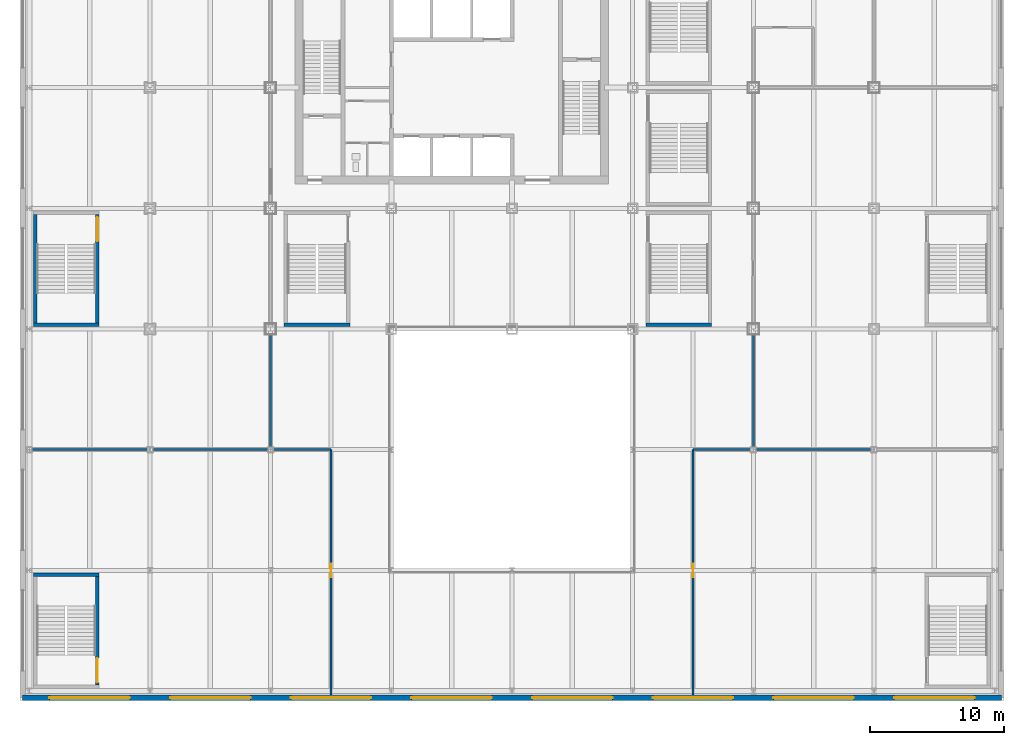
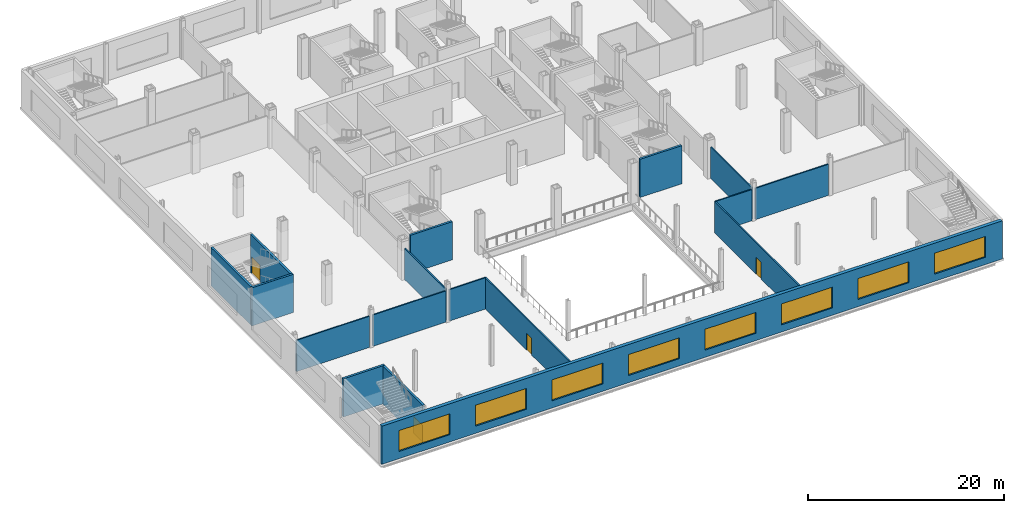
# One storey, part 11 of 28: 17 walls, 8 windows, 4 doors, 12 openings.
"""IFC4 building model written with IfcOpenShell, lengths in metres."""

from ifc_helpers import new_model, si_unit, direction, frame, frame_2d, origin, place, context, subcontext, project, spatial, rectangle, extrude, material, layer, layer_set, type_object, element, fill, save


model = new_model("IFC4")

# Units and contexts
model_context = context("Model", 3, precision=1e-05, world=origin(), true_north=direction((0.0, 1.0)))
body_context = subcontext(model_context, "Body", "Model", "MODEL_VIEW")
ifc_project = project(units=[si_unit("LENGTHUNIT", "METRE"), si_unit("AREAUNIT", "SQUARE_METRE"), si_unit("VOLUMEUNIT", "CUBIC_METRE"), si_unit("PLANEANGLEUNIT", "RADIAN"), si_unit("MASSUNIT", "GRAM", prefix="KILO")], contexts=[model_context])

# Site, building, storey
site_placement = place(None, origin())
site = spatial("IfcSite", under=ifc_project, at=site_placement, CompositionType="ELEMENT")
building_placement = place(site_placement, origin())
building = spatial("IfcBuilding", under=site, at=building_placement, Name="Loomwork Tower", CompositionType="ELEMENT")
storey_placement = place(building_placement, frame((0.0, 0.0, 6.0)))
storey = spatial("IfcBuildingStorey", under=building, at=storey_placement, Name="L01", CompositionType="ELEMENT", Elevation=6.0)

# Walls
ifc_material_1 = material(Name="Gypsum board on steel studs, one-hour", Category="steel")
ifc_layer_1 = layer(ifc_material_1, 0.14990234375)
ifc_layer_set_1 = layer_set([ifc_layer_1], Name="Partition 150")
wall_type_1 = type_object("IfcWallType", Name="Partition 150", PredefinedType="PARTITIONING", material=ifc_layer_set_1)
wall_1_placement = place(storey_placement, frame((-8.81201171875, -9.0, 0.0), z_axis=(0.0, 0.0, 1.0), x_axis=(1.0, 0.0, 0.0)))
element("IfcWall", 1, at=wall_1_placement, inside=storey, type_object=wall_type_1, Name="Partition L01 1.1", PredefinedType="PARTITIONING", context=body_context, shape_type="SweptSolid", body=[
    extrude(rectangle(XDim=8.615234375, YDim=0.14990234375, at=frame_2d((4.3076171875, 0.0))), origin(), (0.0, 0.0, 1.0), 3.8916015625),
])
wall_2_placement = place(storey_placement, frame((0.19677734375, -9.0, 0.0), z_axis=(0.0, 0.0, 1.0), x_axis=(1.0, 0.0, 0.0)))
element("IfcWall", 2, at=wall_2_placement, inside=storey, type_object=wall_type_1, Name="Partition L01 1.2", PredefinedType="PARTITIONING", context=body_context, shape_type="SweptSolid", body=[
    extrude(rectangle(XDim=8.6064453125, YDim=0.14990234375, at=frame_2d((4.30322265625, 0.0))), origin(), (0.0, 0.0, 1.0), 3.8916015625),
])
wall_3_placement = place(storey_placement, frame((9.19677734375, -9.0, 0.0), z_axis=(0.0, 0.0, 1.0), x_axis=(1.0, 0.0, 0.0)))
element("IfcWall", 3, at=wall_3_placement, inside=storey, type_object=wall_type_1, Name="Partition L01 5.1", PredefinedType="PARTITIONING", context=body_context, shape_type="SweptSolid", body=[
    extrude(rectangle(XDim=4.30322265625, YDim=0.14990234375, at=frame_2d((2.151611328125, 0.0))), origin(), (0.0, 0.0, 1.0), 3.8916015625),
])
wall_4_placement = place(storey_placement, frame((9.0, -0.39990234375, 0.0), z_axis=(0.0, 0.0, 1.0), x_axis=(0.0, -1.0, 0.0)))
element("IfcWall", 4, at=wall_4_placement, inside=storey, type_object=wall_type_1, Name="Partition L01 6.4", PredefinedType="PARTITIONING", context=body_context, shape_type="SweptSolid", body=[
    extrude(rectangle(XDim=8.412109375, YDim=0.14990234375, at=frame_2d((4.2060546875, 0.0))), origin(), (0.0, 0.0, 1.0), 3.8916015625),
])

# Wall, opening, door
wall_5_placement = place(storey_placement, frame((13.5, -9.0, 0.0), z_axis=(0.0, 0.0, 1.0), x_axis=(0.0, -1.0, 0.0)))
wall_5 = element("IfcWall", 5, at=wall_5_placement, inside=storey, type_object=wall_type_1, Name="Partition L01 10.1", PredefinedType="PARTITIONING", context=body_context, shape_type="SweptSolid", body=[
    extrude(rectangle(XDim=18.300048828125, YDim=0.14990234375, at=frame_2d((9.14990234375, 0.0))), origin(), (0.0, 0.0, 1.0), 3.89111328125),
])
opening_1_placement = place(wall_5_placement, frame((8.5, 0.0, 0.0)))
opening_1 = element("IfcOpeningElement", 6, at=opening_1_placement, cuts=wall_5, Name="Opening D7", PredefinedType="OPENING", context=body_context, shape_type="SweptSolid", body=[
    extrude(rectangle(XDim=1.0, YDim=2.10009765625, at=frame_2d((0.5, 1.050048828125))), frame((0.0, 0.0849609375, 0.0), z_axis=(0.0, -1.0, 0.0), x_axis=(1.0, 0.0, 0.0)), (0.0, 0.0, 1.0), 0.169921875),
])
ifc_material_2 = material(Name="Hollow metal door and frame")
door_type_1 = type_object("IfcDoorType", Name="Room door 1000", OperationType="SINGLE_SWING_LEFT", PredefinedType="DOOR", material=ifc_material_2)
door_1_placement = place(opening_1_placement, origin())
door_1 = element("IfcDoor", 7, at=door_1_placement, inside=storey, type_object=door_type_1, Name="Retail unit L01-01 door", OperationType="SINGLE_SWING_LEFT", OverallHeight=2.10009765625, OverallWidth=1.0, PredefinedType="DOOR", context=body_context, shape_type="SweptSolid", body=[
    extrude(rectangle(XDim=1.0, YDim=2.10009765625, at=frame_2d((0.5, 1.050048828125))), frame((0.0, 0.02490234375, 0.0), z_axis=(0.0, -1.0, 0.0), x_axis=(1.0, 0.0, 0.0)), (0.0, 0.0, 1.0), 0.050048828125),
])
fill(opening_1, door_1)

wall_6_placement = place(storey_placement, frame((40.5, -27.300048828125, 0.0), z_axis=(0.0, 0.0, 1.0), x_axis=(0.0, 1.0, 0.0)))
wall_6 = element("IfcWall", 8, at=wall_6_placement, inside=storey, type_object=wall_type_1, Name="Partition L01 11.1", PredefinedType="PARTITIONING", context=body_context, shape_type="SweptSolid", body=[
    extrude(rectangle(XDim=18.300048828125, YDim=0.14990234375, at=frame_2d((9.14990234375, 0.0))), origin(), (0.0, 0.0, 1.0), 3.89111328125),
])
opening_2_placement = place(wall_6_placement, frame((8.800048828125, 0.0, 0.0)))
opening_2 = element("IfcOpeningElement", 9, at=opening_2_placement, cuts=wall_6, Name="Opening D7", PredefinedType="OPENING", context=body_context, shape_type="SweptSolid", body=[
    extrude(rectangle(XDim=1.0, YDim=2.10009765625, at=frame_2d((0.5, 1.050048828125))), frame((0.0, 0.0849609375, 0.0), z_axis=(0.0, -1.0, 0.0), x_axis=(1.0, 0.0, 0.0)), (0.0, 0.0, 1.0), 0.169921875),
])
door_2_placement = place(opening_2_placement, origin())
door_2 = element("IfcDoor", 10, at=door_2_placement, inside=storey, type_object=door_type_1, Name="Retail unit L01-02 door", OperationType="SINGLE_SWING_RIGHT", OverallHeight=2.10009765625, OverallWidth=1.0, PredefinedType="DOOR", context=body_context, shape_type="SweptSolid", body=[
    extrude(rectangle(XDim=1.0, YDim=2.10009765625, at=frame_2d((0.5, 1.050048828125))), frame((0.0, 0.02490234375, 0.0), z_axis=(0.0, -1.0, 0.0), x_axis=(1.0, 0.0, 0.0)), (0.0, 0.0, 1.0), 0.050048828125),
])
fill(opening_2, door_2)

# Walls
wall_7_placement = place(storey_placement, frame((40.5, -9.0, 0.0), z_axis=(0.0, 0.0, 1.0), x_axis=(1.0, 0.0, 0.0)))
element("IfcWall", 11, at=wall_7_placement, inside=storey, type_object=wall_type_1, Name="Partition L01 12.1", PredefinedType="PARTITIONING", context=body_context, shape_type="SweptSolid", body=[
    extrude(rectangle(XDim=4.30322265625, YDim=0.14990234375, at=frame_2d((2.151611328125, 0.0))), origin(), (0.0, 0.0, 1.0), 3.8916015625),
])
wall_8_placement = place(storey_placement, frame((45.19677734375, -9.0, 0.0), z_axis=(0.0, 0.0, 1.0), x_axis=(1.0, 0.0, 0.0)))
element("IfcWall", 12, at=wall_8_placement, inside=storey, type_object=wall_type_1, Name="Partition L01 13.1", PredefinedType="PARTITIONING", context=body_context, shape_type="SweptSolid", body=[
    extrude(rectangle(XDim=8.6064453125, YDim=0.14990234375, at=frame_2d((4.30322265625, 0.0))), origin(), (0.0, 0.0, 1.0), 3.8916015625),
])
wall_9_placement = place(storey_placement, frame((45.0, -8.81201171875, 0.0), z_axis=(0.0, 0.0, 1.0), x_axis=(0.0, 1.0, 0.0)))
element("IfcWall", 13, at=wall_9_placement, inside=storey, type_object=wall_type_1, Name="Partition L01 14.1", PredefinedType="PARTITIONING", context=body_context, shape_type="SweptSolid", body=[
    extrude(rectangle(XDim=8.412109375, YDim=0.14990234375, at=frame_2d((4.2060546875, 0.0))), origin(), (0.0, 0.0, 1.0), 3.8916015625),
])

# Wall, openings, windows
ifc_material_3 = material(Name="Limestone on concrete masonry", Category="masonry")
ifc_layer_2 = layer(ifc_material_3, 0.39990234375)
ifc_layer_set_2 = layer_set([ifc_layer_2], Name="Podium limestone wall 400")
wall_type_2 = type_object("IfcWallType", Name="Podium limestone wall 400", PredefinedType="SOLIDWALL", material=ifc_layer_set_2)
wall_10_placement = place(storey_placement, frame((-9.5, -27.5, 0.0), z_axis=(0.0, 0.0, 1.0), x_axis=(1.0, 0.0, 0.0)))
wall_10 = element("IfcWall", 14, at=wall_10_placement, inside=storey, type_object=wall_type_2, Name="Podium stone wall S", PredefinedType="SOLIDWALL", context=body_context, shape_type="SweptSolid", body=[
    extrude(rectangle(XDim=73.0, YDim=0.39990234375, at=frame_2d((36.5, 0.0))), origin(), (0.0, 0.0, 1.0), 4.75),
])
opening_3_placement = place(wall_10_placement, frame((2.0, 0.0, 0.89990234375)))
opening_3 = element("IfcOpeningElement", 15, at=opening_3_placement, cuts=wall_10, Name="Opening CH3", PredefinedType="OPENING", context=body_context, shape_type="SweptSolid", body=[
    extrude(rectangle(XDim=6.0, YDim=2.60009765625, at=frame_2d((3.0, 1.300048828125))), frame((0.0, 0.2099609375, 0.0), z_axis=(0.0, -1.0, 0.0), x_axis=(1.0, 0.0, 0.0)), (0.0, 0.0, 1.0), 0.419921875),
])
opening_4_placement = place(wall_10_placement, frame((11.0, 0.0, 0.89990234375)))
opening_4 = element("IfcOpeningElement", 16, at=opening_4_placement, cuts=wall_10, Name="Opening CH3", PredefinedType="OPENING", context=body_context, shape_type="SweptSolid", body=[
    extrude(rectangle(XDim=6.0, YDim=2.60009765625, at=frame_2d((3.0, 1.300048828125))), frame((0.0, 0.2099609375, 0.0), z_axis=(0.0, -1.0, 0.0), x_axis=(1.0, 0.0, 0.0)), (0.0, 0.0, 1.0), 0.419921875),
])
opening_5_placement = place(wall_10_placement, frame((20.0, 0.0, 0.89990234375)))
opening_5 = element("IfcOpeningElement", 17, at=opening_5_placement, cuts=wall_10, Name="Opening CH3", PredefinedType="OPENING", context=body_context, shape_type="SweptSolid", body=[
    extrude(rectangle(XDim=6.0, YDim=2.60009765625, at=frame_2d((3.0, 1.300048828125))), frame((0.0, 0.2099609375, 0.0), z_axis=(0.0, -1.0, 0.0), x_axis=(1.0, 0.0, 0.0)), (0.0, 0.0, 1.0), 0.419921875),
])
opening_6_placement = place(wall_10_placement, frame((29.0, 0.0, 0.89990234375)))
opening_6 = element("IfcOpeningElement", 18, at=opening_6_placement, cuts=wall_10, Name="Opening CH3", PredefinedType="OPENING", context=body_context, shape_type="SweptSolid", body=[
    extrude(rectangle(XDim=6.0, YDim=2.60009765625, at=frame_2d((3.0, 1.300048828125))), frame((0.0, 0.2099609375, 0.0), z_axis=(0.0, -1.0, 0.0), x_axis=(1.0, 0.0, 0.0)), (0.0, 0.0, 1.0), 0.419921875),
])
opening_7_placement = place(wall_10_placement, frame((38.0, 0.0, 0.89990234375)))
opening_7 = element("IfcOpeningElement", 19, at=opening_7_placement, cuts=wall_10, Name="Opening CH3", PredefinedType="OPENING", context=body_context, shape_type="SweptSolid", body=[
    extrude(rectangle(XDim=6.0, YDim=2.60009765625, at=frame_2d((3.0, 1.300048828125))), frame((0.0, 0.2099609375, 0.0), z_axis=(0.0, -1.0, 0.0), x_axis=(1.0, 0.0, 0.0)), (0.0, 0.0, 1.0), 0.419921875),
])
opening_8_placement = place(wall_10_placement, frame((47.0, 0.0, 0.89990234375)))
opening_8 = element("IfcOpeningElement", 20, at=opening_8_placement, cuts=wall_10, Name="Opening CH3", PredefinedType="OPENING", context=body_context, shape_type="SweptSolid", body=[
    extrude(rectangle(XDim=6.0, YDim=2.60009765625, at=frame_2d((3.0, 1.300048828125))), frame((0.0, 0.2099609375, 0.0), z_axis=(0.0, -1.0, 0.0), x_axis=(1.0, 0.0, 0.0)), (0.0, 0.0, 1.0), 0.419921875),
])
opening_9_placement = place(wall_10_placement, frame((56.0, 0.0, 0.89990234375)))
opening_9 = element("IfcOpeningElement", 21, at=opening_9_placement, cuts=wall_10, Name="Opening CH3", PredefinedType="OPENING", context=body_context, shape_type="SweptSolid", body=[
    extrude(rectangle(XDim=6.0, YDim=2.60009765625, at=frame_2d((3.0, 1.300048828125))), frame((0.0, 0.2099609375, 0.0), z_axis=(0.0, -1.0, 0.0), x_axis=(1.0, 0.0, 0.0)), (0.0, 0.0, 1.0), 0.419921875),
])
opening_10_placement = place(wall_10_placement, frame((65.0, 0.0, 0.89990234375)))
opening_10 = element("IfcOpeningElement", 22, at=opening_10_placement, cuts=wall_10, Name="Opening CH3", PredefinedType="OPENING", context=body_context, shape_type="SweptSolid", body=[
    extrude(rectangle(XDim=6.0, YDim=2.60009765625, at=frame_2d((3.0, 1.300048828125))), frame((0.0, 0.2099609375, 0.0), z_axis=(0.0, -1.0, 0.0), x_axis=(1.0, 0.0, 0.0)), (0.0, 0.0, 1.0), 0.419921875),
])
ifc_material_4 = material(Name="Aluminium frame with clear insulated glass", Category="aluminium")
window_type = type_object("IfcWindowType", Name="Podium Chicago window 6000", PartitioningType="TRIPLE_PANEL_VERTICAL", PredefinedType="WINDOW", material=ifc_material_4)
window_1_placement = place(opening_3_placement, origin())
window_1 = element("IfcWindow", 23, at=window_1_placement, inside=storey, type_object=window_type, Name="Podium window S bay 1", OverallHeight=2.60009765625, OverallWidth=6.0, PartitioningType="TRIPLE_PANEL_VERTICAL", PredefinedType="WINDOW", context=body_context, shape_type="SweptSolid", body=[
    extrude(rectangle(XDim=6.0, YDim=2.60009765625, at=frame_2d((3.0, 1.300048828125))), frame((0.0, 0.030029296875, 0.0), z_axis=(0.0, -1.0, 0.0), x_axis=(1.0, 0.0, 0.0)), (0.0, 0.0, 1.0), 0.06005859375),
])
fill(opening_3, window_1)
window_2_placement = place(opening_4_placement, origin())
window_2 = element("IfcWindow", 24, at=window_2_placement, inside=storey, type_object=window_type, Name="Podium window S bay 2", OverallHeight=2.60009765625, OverallWidth=6.0, PartitioningType="TRIPLE_PANEL_VERTICAL", PredefinedType="WINDOW", context=body_context, shape_type="SweptSolid", body=[
    extrude(rectangle(XDim=6.0, YDim=2.60009765625, at=frame_2d((3.0, 1.300048828125))), frame((0.0, 0.030029296875, 0.0), z_axis=(0.0, -1.0, 0.0), x_axis=(1.0, 0.0, 0.0)), (0.0, 0.0, 1.0), 0.06005859375),
])
fill(opening_4, window_2)
window_3_placement = place(opening_5_placement, origin())
window_3 = element("IfcWindow", 25, at=window_3_placement, inside=storey, type_object=window_type, Name="Podium window S bay 3", OverallHeight=2.60009765625, OverallWidth=6.0, PartitioningType="TRIPLE_PANEL_VERTICAL", PredefinedType="WINDOW", context=body_context, shape_type="SweptSolid", body=[
    extrude(rectangle(XDim=6.0, YDim=2.60009765625, at=frame_2d((3.0, 1.300048828125))), frame((0.0, 0.030029296875, 0.0), z_axis=(0.0, -1.0, 0.0), x_axis=(1.0, 0.0, 0.0)), (0.0, 0.0, 1.0), 0.06005859375),
])
fill(opening_5, window_3)
window_4_placement = place(opening_6_placement, origin())
window_4 = element("IfcWindow", 26, at=window_4_placement, inside=storey, type_object=window_type, Name="Podium window S bay 4", OverallHeight=2.60009765625, OverallWidth=6.0, PartitioningType="TRIPLE_PANEL_VERTICAL", PredefinedType="WINDOW", context=body_context, shape_type="SweptSolid", body=[
    extrude(rectangle(XDim=6.0, YDim=2.60009765625, at=frame_2d((3.0, 1.300048828125))), frame((0.0, 0.030029296875, 0.0), z_axis=(0.0, -1.0, 0.0), x_axis=(1.0, 0.0, 0.0)), (0.0, 0.0, 1.0), 0.06005859375),
])
fill(opening_6, window_4)
window_5_placement = place(opening_7_placement, origin())
window_5 = element("IfcWindow", 27, at=window_5_placement, inside=storey, type_object=window_type, Name="Podium window S bay 5", OverallHeight=2.60009765625, OverallWidth=6.0, PartitioningType="TRIPLE_PANEL_VERTICAL", PredefinedType="WINDOW", context=body_context, shape_type="SweptSolid", body=[
    extrude(rectangle(XDim=6.0, YDim=2.60009765625, at=frame_2d((3.0, 1.300048828125))), frame((0.0, 0.030029296875, 0.0), z_axis=(0.0, -1.0, 0.0), x_axis=(1.0, 0.0, 0.0)), (0.0, 0.0, 1.0), 0.06005859375),
])
fill(opening_7, window_5)
window_6_placement = place(opening_8_placement, origin())
window_6 = element("IfcWindow", 28, at=window_6_placement, inside=storey, type_object=window_type, Name="Podium window S bay 6", OverallHeight=2.60009765625, OverallWidth=6.0, PartitioningType="TRIPLE_PANEL_VERTICAL", PredefinedType="WINDOW", context=body_context, shape_type="SweptSolid", body=[
    extrude(rectangle(XDim=6.0, YDim=2.60009765625, at=frame_2d((3.0, 1.300048828125))), frame((0.0, 0.030029296875, 0.0), z_axis=(0.0, -1.0, 0.0), x_axis=(1.0, 0.0, 0.0)), (0.0, 0.0, 1.0), 0.06005859375),
])
fill(opening_8, window_6)
window_7_placement = place(opening_9_placement, origin())
window_7 = element("IfcWindow", 29, at=window_7_placement, inside=storey, type_object=window_type, Name="Podium window S bay 7", OverallHeight=2.60009765625, OverallWidth=6.0, PartitioningType="TRIPLE_PANEL_VERTICAL", PredefinedType="WINDOW", context=body_context, shape_type="SweptSolid", body=[
    extrude(rectangle(XDim=6.0, YDim=2.60009765625, at=frame_2d((3.0, 1.300048828125))), frame((0.0, 0.030029296875, 0.0), z_axis=(0.0, -1.0, 0.0), x_axis=(1.0, 0.0, 0.0)), (0.0, 0.0, 1.0), 0.06005859375),
])
fill(opening_9, window_7)
window_8_placement = place(opening_10_placement, origin())
window_8 = element("IfcWindow", 30, at=window_8_placement, inside=storey, type_object=window_type, Name="Podium window S bay 8", OverallHeight=2.60009765625, OverallWidth=6.0, PartitioningType="TRIPLE_PANEL_VERTICAL", PredefinedType="WINDOW", context=body_context, shape_type="SweptSolid", body=[
    extrude(rectangle(XDim=6.0, YDim=2.60009765625, at=frame_2d((3.0, 1.300048828125))), frame((0.0, 0.030029296875, 0.0), z_axis=(0.0, -1.0, 0.0), x_axis=(1.0, 0.0, 0.0)), (0.0, 0.0, 1.0), 0.06005859375),
])
fill(opening_10, window_8)

# Wall
ifc_material_5 = material(Name="Concrete masonry, two-hour", Category="masonry")
ifc_layer_3 = layer(ifc_material_5, 0.25)
ifc_layer_set_3 = layer_set([ifc_layer_3], Name="Stair enclosure wall 250")
wall_type_3 = type_object("IfcWallType", Name="Stair enclosure wall 250", PredefinedType="SOLIDWALL", material=ifc_layer_set_3)
wall_11_placement = place(storey_placement, frame((-8.699951171875, -18.324951171875, 0.0), z_axis=(0.0, 0.0, 1.0), x_axis=(1.0, 0.0, 0.0)))
element("IfcWall", 31, at=wall_11_placement, inside=storey, type_object=wall_type_3, Name="Stair PS1 enclosure wall N L01", PredefinedType="SOLIDWALL", context=body_context, shape_type="SweptSolid", body=[
    extrude(rectangle(XDim=4.89990234375, YDim=0.25, at=frame_2d((2.449951171875, 0.0))), origin(), (0.0, 0.0, 1.0), 4.75),
])

# Wall, opening, door
wall_12_placement = place(storey_placement, frame((-3.925048828125, -26.550048828125, 0.0), z_axis=(0.0, 0.0, 1.0), x_axis=(0.0, 1.0, 0.0)))
wall_12 = element("IfcWall", 32, at=wall_12_placement, inside=storey, type_object=wall_type_3, Name="Stair PS1 enclosure wall E L01", PredefinedType="SOLIDWALL", context=body_context, shape_type="SweptSolid", body=[
    extrude(rectangle(XDim=8.10009765625, YDim=0.25, at=frame_2d((4.050048828125, 0.0))), origin(), (0.0, 0.0, 1.0), 4.75),
])
opening_11_placement = place(wall_12_placement, frame((0.199951171875, 0.0, 0.0)))
opening_11 = element("IfcOpeningElement", 33, at=opening_11_placement, cuts=wall_12, Name="Opening D14", PredefinedType="OPENING", context=body_context, shape_type="SweptSolid", body=[
    extrude(rectangle(XDim=1.800048828125, YDim=2.10009765625, at=frame_2d((0.89990234375, 1.050048828125))), frame((0.0, 0.135009765625, 0.0), z_axis=(0.0, -1.0, 0.0), x_axis=(1.0, 0.0, 0.0)), (0.0, 0.0, 1.0), 0.27001953125),
])
ifc_material_6 = material(Name="Hollow metal door and frame")
door_type_2 = type_object("IfcDoorType", Name="Stair double door 1800", OperationType="DOUBLE_DOOR_SINGLE_SWING", PredefinedType="DOOR", material=ifc_material_6)
door_3_placement = place(opening_11_placement, origin())
door_3 = element("IfcDoor", 34, at=door_3_placement, inside=storey, type_object=door_type_2, Name="Stair PS1 door L01", OperationType="DOUBLE_DOOR_SINGLE_SWING", OverallHeight=2.10009765625, OverallWidth=1.800048828125, PredefinedType="DOOR", context=body_context, shape_type="SweptSolid", body=[
    extrude(rectangle(XDim=1.800048828125, YDim=2.10009765625, at=frame_2d((0.89990234375, 1.050048828125))), frame((0.0, 0.02490234375, 0.0), z_axis=(0.0, -1.0, 0.0), x_axis=(1.0, 0.0, 0.0)), (0.0, 0.0, 1.0), 0.050048828125),
])
fill(opening_11, door_3)

# Walls
wall_13_placement = place(storey_placement, frame((-8.699951171875, 0.324951171875, 0.0), z_axis=(0.0, 0.0, 1.0), x_axis=(1.0, 0.0, 0.0)))
element("IfcWall", 35, at=wall_13_placement, inside=storey, type_object=wall_type_3, Name="Stair PS5 enclosure wall S L01", PredefinedType="SOLIDWALL", context=body_context, shape_type="SweptSolid", body=[
    extrude(rectangle(XDim=4.89990234375, YDim=0.25, at=frame_2d((2.449951171875, 0.0))), origin(), (0.0, 0.0, 1.0), 4.75),
])
wall_14_placement = place(storey_placement, frame((-8.574951171875, 0.449951171875, 0.0), z_axis=(0.0, 0.0, 1.0), x_axis=(0.0, 1.0, 0.0)))
element("IfcWall", 36, at=wall_14_placement, inside=storey, type_object=wall_type_3, Name="Stair PS5 enclosure wall W L01", PredefinedType="SOLIDWALL", context=body_context, shape_type="SweptSolid", body=[
    extrude(rectangle(XDim=8.10009765625, YDim=0.25, at=frame_2d((4.050048828125, 0.0))), origin(), (0.0, 0.0, 1.0), 4.75),
])

# Wall, opening, door
wall_15_placement = place(storey_placement, frame((-3.925048828125, 0.449951171875, 0.0), z_axis=(0.0, 0.0, 1.0), x_axis=(0.0, 1.0, 0.0)))
wall_15 = element("IfcWall", 37, at=wall_15_placement, inside=storey, type_object=wall_type_3, Name="Stair PS5 enclosure wall E L01", PredefinedType="SOLIDWALL", context=body_context, shape_type="SweptSolid", body=[
    extrude(rectangle(XDim=8.10009765625, YDim=0.25, at=frame_2d((4.050048828125, 0.0))), origin(), (0.0, 0.0, 1.0), 4.75),
])
opening_12_placement = place(wall_15_placement, frame((6.10009765625, 0.0, 0.0)))
opening_12 = element("IfcOpeningElement", 38, at=opening_12_placement, cuts=wall_15, Name="Opening D14", PredefinedType="OPENING", context=body_context, shape_type="SweptSolid", body=[
    extrude(rectangle(XDim=1.800048828125, YDim=2.10009765625, at=frame_2d((0.89990234375, 1.050048828125))), frame((0.0, 0.135009765625, 0.0), z_axis=(0.0, -1.0, 0.0), x_axis=(1.0, 0.0, 0.0)), (0.0, 0.0, 1.0), 0.27001953125),
])
door_4_placement = place(opening_12_placement, origin())
door_4 = element("IfcDoor", 39, at=door_4_placement, inside=storey, type_object=door_type_2, Name="Stair PS5 door L01", OperationType="DOUBLE_DOOR_SINGLE_SWING", OverallHeight=2.10009765625, OverallWidth=1.800048828125, PredefinedType="DOOR", context=body_context, shape_type="SweptSolid", body=[
    extrude(rectangle(XDim=1.800048828125, YDim=2.10009765625, at=frame_2d((0.89990234375, 1.050048828125))), frame((0.0, 0.02490234375, 0.0), z_axis=(0.0, -1.0, 0.0), x_axis=(1.0, 0.0, 0.0)), (0.0, 0.0, 1.0), 0.050048828125),
])
fill(opening_12, door_4)

# Walls
for number, where, z_axis, x_axis, name in (
    (40, (37.0, 0.324951171875, 0.0), (0.0, 0.0, 1.0), (1.0, 0.0, 0.0), "Stair PS7 enclosure wall S L01"),
    (41, (10.0, 0.324951171875, 0.0), (0.0, 0.0, 1.0), (1.0, 0.0, 0.0), "Stair PS12 enclosure wall S L01"),
):
    element("IfcWall", number, at=place(storey_placement, frame(where, z_axis=z_axis, x_axis=x_axis)), inside=storey, type_object=wall_type_3, Name=name, PredefinedType="SOLIDWALL", context=body_context, shape_type="SweptSolid", body=[
        extrude(rectangle(XDim=4.89990234375, YDim=0.25, at=frame_2d((2.449951171875, 0.0))), origin(), (0.0, 0.0, 1.0), 4.75),
    ])

save(model, "model.ifc")
